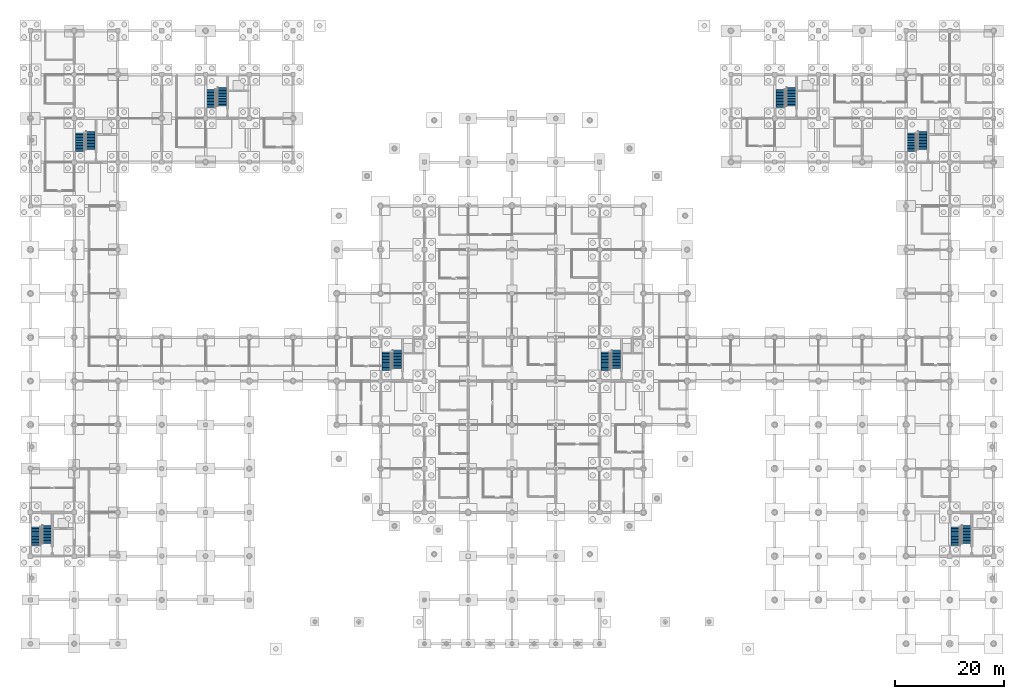
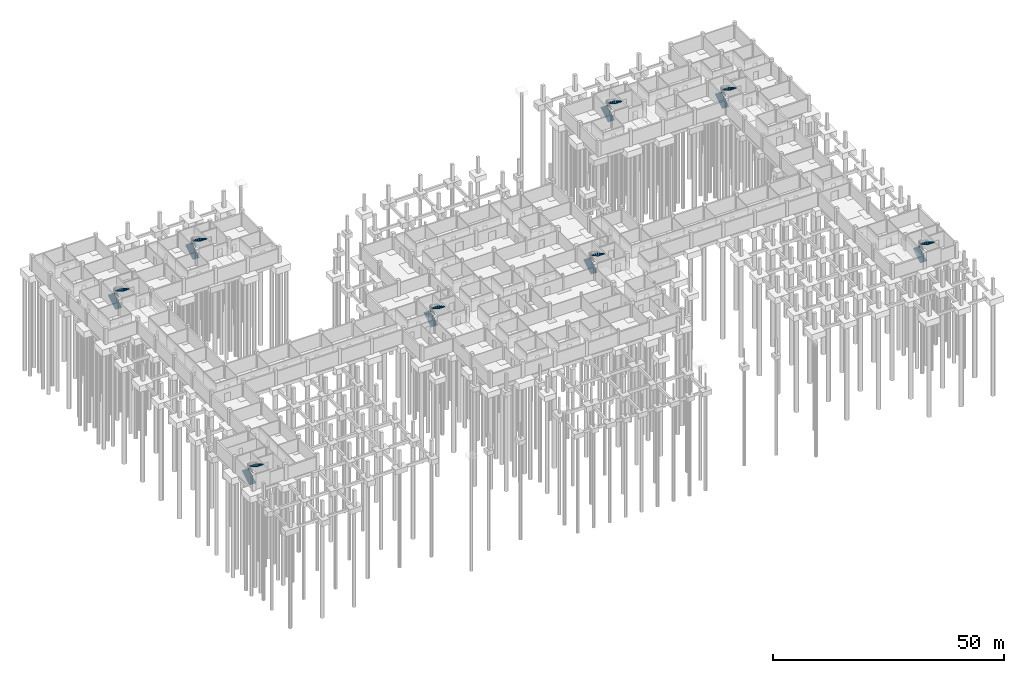
# One storey, part 39 of 48: 16 stair flights, 8 elements without a shape of their own.
"""IFC4 building model written with IfcOpenShell, lengths in metres."""

from ifc_helpers import new_model, si_unit, derived_unit, direction, frame, origin, place, context, subcontext, project, spatial, polyline, outline, extrude, material, type_object, element, aggregate, save


model = new_model("IFC4")

# Units and contexts
model_context = context("Model", 3, precision=1e-05, world=origin(), true_north=direction((0.0, 1.0)))
body_context = subcontext(model_context, "Body", "Model", "MODEL_VIEW")
ifc_project = project(units=[si_unit("LENGTHUNIT", "METRE"), si_unit("AREAUNIT", "SQUARE_METRE"), si_unit("VOLUMEUNIT", "CUBIC_METRE"), si_unit("PLANEANGLEUNIT", "RADIAN"), si_unit("MASSUNIT", "GRAM", prefix="KILO"), derived_unit("THERMALTRANSMITTANCEUNIT", [(si_unit("MASSUNIT", "GRAM", prefix="KILO"), 1), (si_unit("TIMEUNIT", "SECOND"), -3), (si_unit("THERMODYNAMICTEMPERATUREUNIT", "KELVIN"), -1)])], contexts=[model_context])

# Site, building, storey
site_placement = place(None, origin())
site = spatial("IfcSite", under=ifc_project, at=site_placement, CompositionType="ELEMENT")
building_placement = place(site_placement, origin())
building = spatial("IfcBuilding", under=site, at=building_placement, Name="Veyamyaing Civic Hall", CompositionType="ELEMENT")
storey_placement = place(building_placement, frame((0.0, 0.0, -4.2900390625)))
storey = spatial("IfcBuildingStorey", under=building, at=storey_placement, Name="B1", CompositionType="ELEMENT", Elevation=-4.2900390625)

# Stair, stair flights
ifc_material = material(Name="Concrete C40/50", Category="concrete")
stair_type = type_object("IfcStairType", Name="ST-A", PredefinedType="HALF_TURN_STAIR", material=ifc_material)
stair_1_placement = place(storey_placement, origin())
stair_1 = element("IfcStair", 1, at=stair_1_placement, inside=storey, type_object=stair_type, Name="Protected exit stair ST-01 B1", PredefinedType="HALF_TURN_STAIR")
stair_flight_type = type_object("IfcStairFlightType", Name="SF-13", PredefinedType="STRAIGHT", material=ifc_material)
stair_flight_1_placement = place(storey_placement, frame((9.0400390625, 89.949951171875, 0.0), z_axis=(0.0, 0.0, 1.0), x_axis=(0.0, 1.0, 0.0)))
stair_flight_1 = element("IfcStairFlight", 2, at=stair_flight_1_placement, type_object=stair_flight_type, Name="ST-01 flight 1", NumberOfRisers=13, NumberOfTreads=12, PredefinedType="STRAIGHT", RiserHeight=0.165, TreadLength=0.28, context=body_context, shape_type="SweptSolid", body=[
    extrude(outline(polyline([(0.0, 0.0), (0.0, 0.1650390625), (0.280029296875, 0.1650390625), (0.280029296875, 0.330078125), (0.56005859375, 0.330078125), (0.56005859375, 0.4951171875), (0.840087890625, 0.4951171875), (0.840087890625, 0.659912109375), (1.1201171875, 0.659912109375), (1.1201171875, 0.824951171875), (1.39990234375, 0.824951171875), (1.39990234375, 0.989990234375), (1.679931640625, 0.989990234375), (1.679931640625, 1.155029296875), (1.9599609375, 1.155029296875), (1.9599609375, 1.320068359375), (2.239990234375, 1.320068359375), (2.239990234375, 1.485107421875), (2.52001953125, 1.485107421875), (2.52001953125, 1.64990234375), (2.800048828125, 1.64990234375), (2.800048828125, 1.81494140625), (3.080078125, 1.81494140625), (3.080078125, 1.97998046875), (3.360107421875, 1.97998046875), (3.360107421875, 2.14501953125), (3.360107421875, 1.805908203125), (0.295166015625, 0.0), (0.0, 0.0)])), frame((0.0, 0.81982421875, 0.0), z_axis=(0.0, -1.0, 0.0), x_axis=(1.0, 0.0, 0.0)), (0.0, 0.0, 1.0), 1.639892578125),
])
stair_flight_2_placement = place(storey_placement, frame((11.030029296875, 93.6298828125, 2.14501953125), z_axis=(0.0, 0.0, 1.0), x_axis=(0.0, -1.0, 0.0)))
stair_flight_2 = element("IfcStairFlight", 3, at=stair_flight_2_placement, type_object=stair_flight_type, Name="ST-01 flight 2", NumberOfRisers=13, NumberOfTreads=12, PredefinedType="STRAIGHT", RiserHeight=0.165, TreadLength=0.28, context=body_context, shape_type="SweptSolid", body=[
    extrude(outline(polyline([(0.0, 0.0), (0.0, 0.1650390625), (0.280029296875, 0.1650390625), (0.280029296875, 0.330078125), (0.56005859375, 0.330078125), (0.56005859375, 0.4951171875), (0.840087890625, 0.4951171875), (0.840087890625, 0.659912109375), (1.1201171875, 0.659912109375), (1.1201171875, 0.824951171875), (1.39990234375, 0.824951171875), (1.39990234375, 0.989990234375), (1.679931640625, 0.989990234375), (1.679931640625, 1.155029296875), (1.9599609375, 1.155029296875), (1.9599609375, 1.320068359375), (2.239990234375, 1.320068359375), (2.239990234375, 1.485107421875), (2.52001953125, 1.485107421875), (2.52001953125, 1.64990234375), (2.800048828125, 1.64990234375), (2.800048828125, 1.81494140625), (3.080078125, 1.81494140625), (3.080078125, 1.97998046875), (3.360107421875, 1.97998046875), (3.360107421875, 2.14501953125), (3.360107421875, 1.805908203125), (0.295166015625, 0.0), (0.0, 0.0)])), frame((0.0, 0.81982421875, 0.0), z_axis=(0.0, -1.0, 0.0), x_axis=(1.0, 0.0, 0.0)), (0.0, 0.0, 1.0), 1.639892578125),
])
aggregate(stair_1, [stair_flight_1, stair_flight_2])

stair_2_placement = place(storey_placement, origin())
stair_2 = element("IfcStair", 4, at=stair_2_placement, inside=storey, type_object=stair_type, Name="Protected exit stair ST-02 B1", PredefinedType="HALF_TURN_STAIR")
stair_flight_3_placement = place(storey_placement, frame((33.0400390625, 97.949951171875, 0.0), z_axis=(0.0, 0.0, 1.0), x_axis=(0.0, 1.0, 0.0)))
stair_flight_3 = element("IfcStairFlight", 5, at=stair_flight_3_placement, type_object=stair_flight_type, Name="ST-02 flight 1", NumberOfRisers=13, NumberOfTreads=12, PredefinedType="STRAIGHT", RiserHeight=0.165, TreadLength=0.28, context=body_context, shape_type="SweptSolid", body=[
    extrude(outline(polyline([(0.0, 0.0), (0.0, 0.1650390625), (0.280029296875, 0.1650390625), (0.280029296875, 0.330078125), (0.56005859375, 0.330078125), (0.56005859375, 0.4951171875), (0.840087890625, 0.4951171875), (0.840087890625, 0.659912109375), (1.1201171875, 0.659912109375), (1.1201171875, 0.824951171875), (1.39990234375, 0.824951171875), (1.39990234375, 0.989990234375), (1.679931640625, 0.989990234375), (1.679931640625, 1.155029296875), (1.9599609375, 1.155029296875), (1.9599609375, 1.320068359375), (2.239990234375, 1.320068359375), (2.239990234375, 1.485107421875), (2.52001953125, 1.485107421875), (2.52001953125, 1.64990234375), (2.800048828125, 1.64990234375), (2.800048828125, 1.81494140625), (3.080078125, 1.81494140625), (3.080078125, 1.97998046875), (3.360107421875, 1.97998046875), (3.360107421875, 2.14501953125), (3.360107421875, 1.805908203125), (0.295166015625, 0.0), (0.0, 0.0)])), frame((0.0, 0.81982421875, 0.0), z_axis=(0.0, -1.0, 0.0), x_axis=(1.0, 0.0, 0.0)), (0.0, 0.0, 1.0), 1.639892578125),
])
stair_flight_4_placement = place(storey_placement, frame((35.030029296875, 101.6298828125, 2.14501953125), z_axis=(0.0, 0.0, 1.0), x_axis=(0.0, -1.0, 0.0)))
stair_flight_4 = element("IfcStairFlight", 6, at=stair_flight_4_placement, type_object=stair_flight_type, Name="ST-02 flight 2", NumberOfRisers=13, NumberOfTreads=12, PredefinedType="STRAIGHT", RiserHeight=0.165, TreadLength=0.28, context=body_context, shape_type="SweptSolid", body=[
    extrude(outline(polyline([(0.0, 0.0), (0.0, 0.1650390625), (0.280029296875, 0.1650390625), (0.280029296875, 0.330078125), (0.56005859375, 0.330078125), (0.56005859375, 0.4951171875), (0.840087890625, 0.4951171875), (0.840087890625, 0.659912109375), (1.1201171875, 0.659912109375), (1.1201171875, 0.824951171875), (1.39990234375, 0.824951171875), (1.39990234375, 0.989990234375), (1.679931640625, 0.989990234375), (1.679931640625, 1.155029296875), (1.9599609375, 1.155029296875), (1.9599609375, 1.320068359375), (2.239990234375, 1.320068359375), (2.239990234375, 1.485107421875), (2.52001953125, 1.485107421875), (2.52001953125, 1.64990234375), (2.800048828125, 1.64990234375), (2.800048828125, 1.81494140625), (3.080078125, 1.81494140625), (3.080078125, 1.97998046875), (3.360107421875, 1.97998046875), (3.360107421875, 2.14501953125), (3.360107421875, 1.805908203125), (0.295166015625, 0.0), (0.0, 0.0)])), frame((0.0, 0.81982421875, 0.0), z_axis=(0.0, -1.0, 0.0), x_axis=(1.0, 0.0, 0.0)), (0.0, 0.0, 1.0), 1.639892578125),
])
aggregate(stair_2, [stair_flight_3, stair_flight_4])

stair_3_placement = place(storey_placement, origin())
stair_3 = element("IfcStair", 7, at=stair_3_placement, inside=storey, type_object=stair_type, Name="Protected exit stair ST-03 B1", PredefinedType="HALF_TURN_STAIR")
stair_flight_5_placement = place(storey_placement, frame((161.0400390625, 89.949951171875, 0.0), z_axis=(0.0, 0.0, 1.0), x_axis=(0.0, 1.0, 0.0)))
stair_flight_5 = element("IfcStairFlight", 8, at=stair_flight_5_placement, type_object=stair_flight_type, Name="ST-03 flight 1", NumberOfRisers=13, NumberOfTreads=12, PredefinedType="STRAIGHT", RiserHeight=0.165, TreadLength=0.28, context=body_context, shape_type="SweptSolid", body=[
    extrude(outline(polyline([(0.0, 0.0), (0.0, 0.1650390625), (0.280029296875, 0.1650390625), (0.280029296875, 0.330078125), (0.56005859375, 0.330078125), (0.56005859375, 0.4951171875), (0.840087890625, 0.4951171875), (0.840087890625, 0.659912109375), (1.1201171875, 0.659912109375), (1.1201171875, 0.824951171875), (1.39990234375, 0.824951171875), (1.39990234375, 0.989990234375), (1.679931640625, 0.989990234375), (1.679931640625, 1.155029296875), (1.9599609375, 1.155029296875), (1.9599609375, 1.320068359375), (2.239990234375, 1.320068359375), (2.239990234375, 1.485107421875), (2.52001953125, 1.485107421875), (2.52001953125, 1.64990234375), (2.800048828125, 1.64990234375), (2.800048828125, 1.81494140625), (3.080078125, 1.81494140625), (3.080078125, 1.97998046875), (3.360107421875, 1.97998046875), (3.360107421875, 2.14501953125), (3.360107421875, 1.805908203125), (0.295166015625, 0.0), (0.0, 0.0)])), frame((0.0, 0.81982421875, 0.0), z_axis=(0.0, -1.0, 0.0), x_axis=(1.0, 0.0, 0.0)), (0.0, 0.0, 1.0), 1.639892578125),
])
stair_flight_6_placement = place(storey_placement, frame((163.030029296875, 93.6298828125, 2.14501953125), z_axis=(0.0, 0.0, 1.0), x_axis=(0.0, -1.0, 0.0)))
stair_flight_6 = element("IfcStairFlight", 9, at=stair_flight_6_placement, type_object=stair_flight_type, Name="ST-03 flight 2", NumberOfRisers=13, NumberOfTreads=12, PredefinedType="STRAIGHT", RiserHeight=0.165, TreadLength=0.28, context=body_context, shape_type="SweptSolid", body=[
    extrude(outline(polyline([(0.0, 0.0), (0.0, 0.1650390625), (0.280029296875, 0.1650390625), (0.280029296875, 0.330078125), (0.56005859375, 0.330078125), (0.56005859375, 0.4951171875), (0.840087890625, 0.4951171875), (0.840087890625, 0.659912109375), (1.1201171875, 0.659912109375), (1.1201171875, 0.824951171875), (1.39990234375, 0.824951171875), (1.39990234375, 0.989990234375), (1.679931640625, 0.989990234375), (1.679931640625, 1.155029296875), (1.9599609375, 1.155029296875), (1.9599609375, 1.320068359375), (2.239990234375, 1.320068359375), (2.239990234375, 1.485107421875), (2.52001953125, 1.485107421875), (2.52001953125, 1.64990234375), (2.800048828125, 1.64990234375), (2.800048828125, 1.81494140625), (3.080078125, 1.81494140625), (3.080078125, 1.97998046875), (3.360107421875, 1.97998046875), (3.360107421875, 2.14501953125), (3.360107421875, 1.805908203125), (0.295166015625, 0.0), (0.0, 0.0)])), frame((0.0, 0.81982421875, 0.0), z_axis=(0.0, -1.0, 0.0), x_axis=(1.0, 0.0, 0.0)), (0.0, 0.0, 1.0), 1.639892578125),
])
aggregate(stair_3, [stair_flight_5, stair_flight_6])

stair_4_placement = place(storey_placement, origin())
stair_4 = element("IfcStair", 10, at=stair_4_placement, inside=storey, type_object=stair_type, Name="Protected exit stair ST-04 B1", PredefinedType="HALF_TURN_STAIR")
stair_flight_7_placement = place(storey_placement, frame((137.0400390625, 97.949951171875, 0.0), z_axis=(0.0, 0.0, 1.0), x_axis=(0.0, 1.0, 0.0)))
stair_flight_7 = element("IfcStairFlight", 11, at=stair_flight_7_placement, type_object=stair_flight_type, Name="ST-04 flight 1", NumberOfRisers=13, NumberOfTreads=12, PredefinedType="STRAIGHT", RiserHeight=0.165, TreadLength=0.28, context=body_context, shape_type="SweptSolid", body=[
    extrude(outline(polyline([(0.0, 0.0), (0.0, 0.1650390625), (0.280029296875, 0.1650390625), (0.280029296875, 0.330078125), (0.56005859375, 0.330078125), (0.56005859375, 0.4951171875), (0.840087890625, 0.4951171875), (0.840087890625, 0.659912109375), (1.1201171875, 0.659912109375), (1.1201171875, 0.824951171875), (1.39990234375, 0.824951171875), (1.39990234375, 0.989990234375), (1.679931640625, 0.989990234375), (1.679931640625, 1.155029296875), (1.9599609375, 1.155029296875), (1.9599609375, 1.320068359375), (2.239990234375, 1.320068359375), (2.239990234375, 1.485107421875), (2.52001953125, 1.485107421875), (2.52001953125, 1.64990234375), (2.800048828125, 1.64990234375), (2.800048828125, 1.81494140625), (3.080078125, 1.81494140625), (3.080078125, 1.97998046875), (3.360107421875, 1.97998046875), (3.360107421875, 2.14501953125), (3.360107421875, 1.805908203125), (0.295166015625, 0.0), (0.0, 0.0)])), frame((0.0, 0.81982421875, 0.0), z_axis=(0.0, -1.0, 0.0), x_axis=(1.0, 0.0, 0.0)), (0.0, 0.0, 1.0), 1.639892578125),
])
stair_flight_8_placement = place(storey_placement, frame((139.030029296875, 101.6298828125, 2.14501953125), z_axis=(0.0, 0.0, 1.0), x_axis=(0.0, -1.0, 0.0)))
stair_flight_8 = element("IfcStairFlight", 12, at=stair_flight_8_placement, type_object=stair_flight_type, Name="ST-04 flight 2", NumberOfRisers=13, NumberOfTreads=12, PredefinedType="STRAIGHT", RiserHeight=0.165, TreadLength=0.28, context=body_context, shape_type="SweptSolid", body=[
    extrude(outline(polyline([(0.0, 0.0), (0.0, 0.1650390625), (0.280029296875, 0.1650390625), (0.280029296875, 0.330078125), (0.56005859375, 0.330078125), (0.56005859375, 0.4951171875), (0.840087890625, 0.4951171875), (0.840087890625, 0.659912109375), (1.1201171875, 0.659912109375), (1.1201171875, 0.824951171875), (1.39990234375, 0.824951171875), (1.39990234375, 0.989990234375), (1.679931640625, 0.989990234375), (1.679931640625, 1.155029296875), (1.9599609375, 1.155029296875), (1.9599609375, 1.320068359375), (2.239990234375, 1.320068359375), (2.239990234375, 1.485107421875), (2.52001953125, 1.485107421875), (2.52001953125, 1.64990234375), (2.800048828125, 1.64990234375), (2.800048828125, 1.81494140625), (3.080078125, 1.81494140625), (3.080078125, 1.97998046875), (3.360107421875, 1.97998046875), (3.360107421875, 2.14501953125), (3.360107421875, 1.805908203125), (0.295166015625, 0.0), (0.0, 0.0)])), frame((0.0, 0.81982421875, 0.0), z_axis=(0.0, -1.0, 0.0), x_axis=(1.0, 0.0, 0.0)), (0.0, 0.0, 1.0), 1.639892578125),
])
aggregate(stair_4, [stair_flight_7, stair_flight_8])

stair_5_placement = place(storey_placement, origin())
stair_5 = element("IfcStair", 13, at=stair_5_placement, inside=storey, type_object=stair_type, Name="Protected exit stair ST-05 B1", PredefinedType="HALF_TURN_STAIR")
stair_flight_9_placement = place(storey_placement, frame((65.0400390625, 49.949951171875, 0.0), z_axis=(0.0, 0.0, 1.0), x_axis=(0.0, 1.0, 0.0)))
stair_flight_9 = element("IfcStairFlight", 14, at=stair_flight_9_placement, type_object=stair_flight_type, Name="ST-05 flight 1", NumberOfRisers=13, NumberOfTreads=12, PredefinedType="STRAIGHT", RiserHeight=0.165, TreadLength=0.28, context=body_context, shape_type="SweptSolid", body=[
    extrude(outline(polyline([(0.0, 0.0), (0.0, 0.1650390625), (0.280029296875, 0.1650390625), (0.280029296875, 0.330078125), (0.56005859375, 0.330078125), (0.56005859375, 0.4951171875), (0.840087890625, 0.4951171875), (0.840087890625, 0.659912109375), (1.1201171875, 0.659912109375), (1.1201171875, 0.824951171875), (1.39990234375, 0.824951171875), (1.39990234375, 0.989990234375), (1.679931640625, 0.989990234375), (1.679931640625, 1.155029296875), (1.9599609375, 1.155029296875), (1.9599609375, 1.320068359375), (2.239990234375, 1.320068359375), (2.239990234375, 1.485107421875), (2.52001953125, 1.485107421875), (2.52001953125, 1.64990234375), (2.800048828125, 1.64990234375), (2.800048828125, 1.81494140625), (3.080078125, 1.81494140625), (3.080078125, 1.97998046875), (3.360107421875, 1.97998046875), (3.360107421875, 2.14501953125), (3.360107421875, 1.805908203125), (0.295166015625, 0.0), (0.0, 0.0)])), frame((0.0, 0.81982421875, 0.0), z_axis=(0.0, -1.0, 0.0), x_axis=(1.0, 0.0, 0.0)), (0.0, 0.0, 1.0), 1.639892578125),
])
stair_flight_10_placement = place(storey_placement, frame((67.030029296875, 53.6298828125, 2.14501953125), z_axis=(0.0, 0.0, 1.0), x_axis=(0.0, -1.0, 0.0)))
stair_flight_10 = element("IfcStairFlight", 15, at=stair_flight_10_placement, type_object=stair_flight_type, Name="ST-05 flight 2", NumberOfRisers=13, NumberOfTreads=12, PredefinedType="STRAIGHT", RiserHeight=0.165, TreadLength=0.28, context=body_context, shape_type="SweptSolid", body=[
    extrude(outline(polyline([(0.0, 0.0), (0.0, 0.1650390625), (0.280029296875, 0.1650390625), (0.280029296875, 0.330078125), (0.56005859375, 0.330078125), (0.56005859375, 0.4951171875), (0.840087890625, 0.4951171875), (0.840087890625, 0.659912109375), (1.1201171875, 0.659912109375), (1.1201171875, 0.824951171875), (1.39990234375, 0.824951171875), (1.39990234375, 0.989990234375), (1.679931640625, 0.989990234375), (1.679931640625, 1.155029296875), (1.9599609375, 1.155029296875), (1.9599609375, 1.320068359375), (2.239990234375, 1.320068359375), (2.239990234375, 1.485107421875), (2.52001953125, 1.485107421875), (2.52001953125, 1.64990234375), (2.800048828125, 1.64990234375), (2.800048828125, 1.81494140625), (3.080078125, 1.81494140625), (3.080078125, 1.97998046875), (3.360107421875, 1.97998046875), (3.360107421875, 2.14501953125), (3.360107421875, 1.805908203125), (0.295166015625, 0.0), (0.0, 0.0)])), frame((0.0, 0.81982421875, 0.0), z_axis=(0.0, -1.0, 0.0), x_axis=(1.0, 0.0, 0.0)), (0.0, 0.0, 1.0), 1.639892578125),
])
aggregate(stair_5, [stair_flight_9, stair_flight_10])

stair_6_placement = place(storey_placement, origin())
stair_6 = element("IfcStair", 16, at=stair_6_placement, inside=storey, type_object=stair_type, Name="Protected exit stair ST-06 B1", PredefinedType="HALF_TURN_STAIR")
stair_flight_11_placement = place(storey_placement, frame((105.0400390625, 49.949951171875, 0.0), z_axis=(0.0, 0.0, 1.0), x_axis=(0.0, 1.0, 0.0)))
stair_flight_11 = element("IfcStairFlight", 17, at=stair_flight_11_placement, type_object=stair_flight_type, Name="ST-06 flight 1", NumberOfRisers=13, NumberOfTreads=12, PredefinedType="STRAIGHT", RiserHeight=0.165, TreadLength=0.28, context=body_context, shape_type="SweptSolid", body=[
    extrude(outline(polyline([(0.0, 0.0), (0.0, 0.1650390625), (0.280029296875, 0.1650390625), (0.280029296875, 0.330078125), (0.56005859375, 0.330078125), (0.56005859375, 0.4951171875), (0.840087890625, 0.4951171875), (0.840087890625, 0.659912109375), (1.1201171875, 0.659912109375), (1.1201171875, 0.824951171875), (1.39990234375, 0.824951171875), (1.39990234375, 0.989990234375), (1.679931640625, 0.989990234375), (1.679931640625, 1.155029296875), (1.9599609375, 1.155029296875), (1.9599609375, 1.320068359375), (2.239990234375, 1.320068359375), (2.239990234375, 1.485107421875), (2.52001953125, 1.485107421875), (2.52001953125, 1.64990234375), (2.800048828125, 1.64990234375), (2.800048828125, 1.81494140625), (3.080078125, 1.81494140625), (3.080078125, 1.97998046875), (3.360107421875, 1.97998046875), (3.360107421875, 2.14501953125), (3.360107421875, 1.805908203125), (0.295166015625, 0.0), (0.0, 0.0)])), frame((0.0, 0.81982421875, 0.0), z_axis=(0.0, -1.0, 0.0), x_axis=(1.0, 0.0, 0.0)), (0.0, 0.0, 1.0), 1.639892578125),
])
stair_flight_12_placement = place(storey_placement, frame((107.030029296875, 53.6298828125, 2.14501953125), z_axis=(0.0, 0.0, 1.0), x_axis=(0.0, -1.0, 0.0)))
stair_flight_12 = element("IfcStairFlight", 18, at=stair_flight_12_placement, type_object=stair_flight_type, Name="ST-06 flight 2", NumberOfRisers=13, NumberOfTreads=12, PredefinedType="STRAIGHT", RiserHeight=0.165, TreadLength=0.28, context=body_context, shape_type="SweptSolid", body=[
    extrude(outline(polyline([(0.0, 0.0), (0.0, 0.1650390625), (0.280029296875, 0.1650390625), (0.280029296875, 0.330078125), (0.56005859375, 0.330078125), (0.56005859375, 0.4951171875), (0.840087890625, 0.4951171875), (0.840087890625, 0.659912109375), (1.1201171875, 0.659912109375), (1.1201171875, 0.824951171875), (1.39990234375, 0.824951171875), (1.39990234375, 0.989990234375), (1.679931640625, 0.989990234375), (1.679931640625, 1.155029296875), (1.9599609375, 1.155029296875), (1.9599609375, 1.320068359375), (2.239990234375, 1.320068359375), (2.239990234375, 1.485107421875), (2.52001953125, 1.485107421875), (2.52001953125, 1.64990234375), (2.800048828125, 1.64990234375), (2.800048828125, 1.81494140625), (3.080078125, 1.81494140625), (3.080078125, 1.97998046875), (3.360107421875, 1.97998046875), (3.360107421875, 2.14501953125), (3.360107421875, 1.805908203125), (0.295166015625, 0.0), (0.0, 0.0)])), frame((0.0, 0.81982421875, 0.0), z_axis=(0.0, -1.0, 0.0), x_axis=(1.0, 0.0, 0.0)), (0.0, 0.0, 1.0), 1.639892578125),
])
aggregate(stair_6, [stair_flight_11, stair_flight_12])

stair_7_placement = place(storey_placement, origin())
stair_7 = element("IfcStair", 19, at=stair_7_placement, inside=storey, type_object=stair_type, Name="Protected exit stair ST-09 B1", PredefinedType="HALF_TURN_STAIR")
stair_flight_13_placement = place(storey_placement, frame((1.0400390625, 17.949951171875, 0.0), z_axis=(0.0, 0.0, 1.0), x_axis=(0.0, 1.0, 0.0)))
stair_flight_13 = element("IfcStairFlight", 20, at=stair_flight_13_placement, type_object=stair_flight_type, Name="ST-09 flight 1", NumberOfRisers=13, NumberOfTreads=12, PredefinedType="STRAIGHT", RiserHeight=0.165, TreadLength=0.28, context=body_context, shape_type="SweptSolid", body=[
    extrude(outline(polyline([(0.0, 0.0), (0.0, 0.1650390625), (0.280029296875, 0.1650390625), (0.280029296875, 0.330078125), (0.56005859375, 0.330078125), (0.56005859375, 0.4951171875), (0.840087890625, 0.4951171875), (0.840087890625, 0.659912109375), (1.1201171875, 0.659912109375), (1.1201171875, 0.824951171875), (1.39990234375, 0.824951171875), (1.39990234375, 0.989990234375), (1.679931640625, 0.989990234375), (1.679931640625, 1.155029296875), (1.9599609375, 1.155029296875), (1.9599609375, 1.320068359375), (2.239990234375, 1.320068359375), (2.239990234375, 1.485107421875), (2.52001953125, 1.485107421875), (2.52001953125, 1.64990234375), (2.800048828125, 1.64990234375), (2.800048828125, 1.81494140625), (3.080078125, 1.81494140625), (3.080078125, 1.97998046875), (3.360107421875, 1.97998046875), (3.360107421875, 2.14501953125), (3.360107421875, 1.805908203125), (0.295166015625, 0.0), (0.0, 0.0)])), frame((0.0, 0.81982421875, 0.0), z_axis=(0.0, -1.0, 0.0), x_axis=(1.0, 0.0, 0.0)), (0.0, 0.0, 1.0), 1.639892578125),
])
stair_flight_14_placement = place(storey_placement, frame((3.030029296875, 21.6298828125, 2.14501953125), z_axis=(0.0, 0.0, 1.0), x_axis=(0.0, -1.0, 0.0)))
stair_flight_14 = element("IfcStairFlight", 21, at=stair_flight_14_placement, type_object=stair_flight_type, Name="ST-09 flight 2", NumberOfRisers=13, NumberOfTreads=12, PredefinedType="STRAIGHT", RiserHeight=0.165, TreadLength=0.28, context=body_context, shape_type="SweptSolid", body=[
    extrude(outline(polyline([(0.0, 0.0), (0.0, 0.1650390625), (0.280029296875, 0.1650390625), (0.280029296875, 0.330078125), (0.56005859375, 0.330078125), (0.56005859375, 0.4951171875), (0.840087890625, 0.4951171875), (0.840087890625, 0.659912109375), (1.1201171875, 0.659912109375), (1.1201171875, 0.824951171875), (1.39990234375, 0.824951171875), (1.39990234375, 0.989990234375), (1.679931640625, 0.989990234375), (1.679931640625, 1.155029296875), (1.9599609375, 1.155029296875), (1.9599609375, 1.320068359375), (2.239990234375, 1.320068359375), (2.239990234375, 1.485107421875), (2.52001953125, 1.485107421875), (2.52001953125, 1.64990234375), (2.800048828125, 1.64990234375), (2.800048828125, 1.81494140625), (3.080078125, 1.81494140625), (3.080078125, 1.97998046875), (3.360107421875, 1.97998046875), (3.360107421875, 2.14501953125), (3.360107421875, 1.805908203125), (0.295166015625, 0.0), (0.0, 0.0)])), frame((0.0, 0.81982421875, 0.0), z_axis=(0.0, -1.0, 0.0), x_axis=(1.0, 0.0, 0.0)), (0.0, 0.0, 1.0), 1.639892578125),
])
aggregate(stair_7, [stair_flight_13, stair_flight_14])

stair_8_placement = place(storey_placement, origin())
stair_8 = element("IfcStair", 22, at=stair_8_placement, inside=storey, type_object=stair_type, Name="Protected exit stair ST-10 B1", PredefinedType="HALF_TURN_STAIR")
stair_flight_15_placement = place(storey_placement, frame((169.0400390625, 17.949951171875, 0.0), z_axis=(0.0, 0.0, 1.0), x_axis=(0.0, 1.0, 0.0)))
stair_flight_15 = element("IfcStairFlight", 23, at=stair_flight_15_placement, type_object=stair_flight_type, Name="ST-10 flight 1", NumberOfRisers=13, NumberOfTreads=12, PredefinedType="STRAIGHT", RiserHeight=0.165, TreadLength=0.28, context=body_context, shape_type="SweptSolid", body=[
    extrude(outline(polyline([(0.0, 0.0), (0.0, 0.1650390625), (0.280029296875, 0.1650390625), (0.280029296875, 0.330078125), (0.56005859375, 0.330078125), (0.56005859375, 0.4951171875), (0.840087890625, 0.4951171875), (0.840087890625, 0.659912109375), (1.1201171875, 0.659912109375), (1.1201171875, 0.824951171875), (1.39990234375, 0.824951171875), (1.39990234375, 0.989990234375), (1.679931640625, 0.989990234375), (1.679931640625, 1.155029296875), (1.9599609375, 1.155029296875), (1.9599609375, 1.320068359375), (2.239990234375, 1.320068359375), (2.239990234375, 1.485107421875), (2.52001953125, 1.485107421875), (2.52001953125, 1.64990234375), (2.800048828125, 1.64990234375), (2.800048828125, 1.81494140625), (3.080078125, 1.81494140625), (3.080078125, 1.97998046875), (3.360107421875, 1.97998046875), (3.360107421875, 2.14501953125), (3.360107421875, 1.805908203125), (0.295166015625, 0.0), (0.0, 0.0)])), frame((0.0, 0.81982421875, 0.0), z_axis=(0.0, -1.0, 0.0), x_axis=(1.0, 0.0, 0.0)), (0.0, 0.0, 1.0), 1.639892578125),
])
stair_flight_16_placement = place(storey_placement, frame((171.030029296875, 21.6298828125, 2.14501953125), z_axis=(0.0, 0.0, 1.0), x_axis=(0.0, -1.0, 0.0)))
stair_flight_16 = element("IfcStairFlight", 24, at=stair_flight_16_placement, type_object=stair_flight_type, Name="ST-10 flight 2", NumberOfRisers=13, NumberOfTreads=12, PredefinedType="STRAIGHT", RiserHeight=0.165, TreadLength=0.28, context=body_context, shape_type="SweptSolid", body=[
    extrude(outline(polyline([(0.0, 0.0), (0.0, 0.1650390625), (0.280029296875, 0.1650390625), (0.280029296875, 0.330078125), (0.56005859375, 0.330078125), (0.56005859375, 0.4951171875), (0.840087890625, 0.4951171875), (0.840087890625, 0.659912109375), (1.1201171875, 0.659912109375), (1.1201171875, 0.824951171875), (1.39990234375, 0.824951171875), (1.39990234375, 0.989990234375), (1.679931640625, 0.989990234375), (1.679931640625, 1.155029296875), (1.9599609375, 1.155029296875), (1.9599609375, 1.320068359375), (2.239990234375, 1.320068359375), (2.239990234375, 1.485107421875), (2.52001953125, 1.485107421875), (2.52001953125, 1.64990234375), (2.800048828125, 1.64990234375), (2.800048828125, 1.81494140625), (3.080078125, 1.81494140625), (3.080078125, 1.97998046875), (3.360107421875, 1.97998046875), (3.360107421875, 2.14501953125), (3.360107421875, 1.805908203125), (0.295166015625, 0.0), (0.0, 0.0)])), frame((0.0, 0.81982421875, 0.0), z_axis=(0.0, -1.0, 0.0), x_axis=(1.0, 0.0, 0.0)), (0.0, 0.0, 1.0), 1.639892578125),
])
aggregate(stair_8, [stair_flight_15, stair_flight_16])

save(model, "model.ifc")
